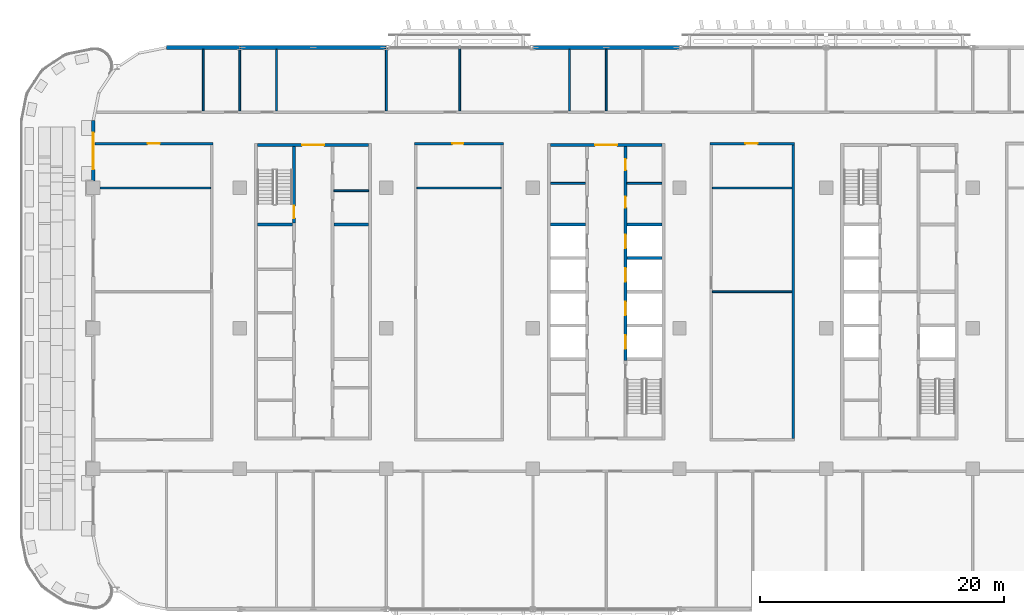
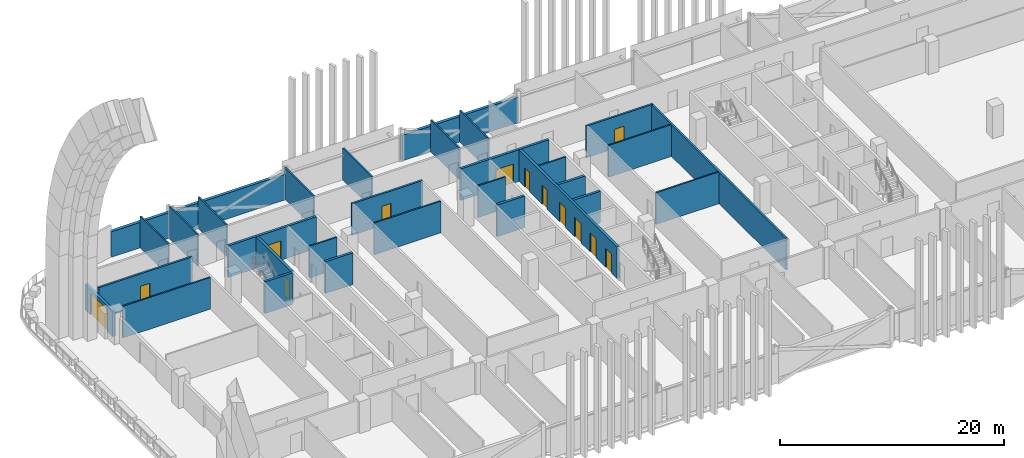
# One storey, part 11 of 28: 31 walls, 13 doors, 13 openings.
"""IFC4 building model written with IfcOpenShell, lengths in metres."""

from ifc_helpers import new_model, si_unit, direction, frame, frame_2d, origin, place, context, subcontext, project, spatial, rectangle, extrude, material, layer, layer_set, type_object, element, fill, save


model = new_model("IFC4")

# Units and contexts
model_context = context("Model", 3, precision=1e-05, world=origin(), true_north=direction((0.0, 1.0)))
body_context = subcontext(model_context, "Body", "Model", "MODEL_VIEW")
ifc_project = project(units=[si_unit("LENGTHUNIT", "METRE"), si_unit("AREAUNIT", "SQUARE_METRE"), si_unit("VOLUMEUNIT", "CUBIC_METRE"), si_unit("PLANEANGLEUNIT", "RADIAN"), si_unit("MASSUNIT", "GRAM", prefix="KILO")], contexts=[model_context])

# Site, building, storey
site_placement = place(None, origin())
site = spatial("IfcSite", under=ifc_project, at=site_placement, CompositionType="ELEMENT")
building_placement = place(site_placement, origin())
building = spatial("IfcBuilding", under=site, at=building_placement, Name="Mahtab Terrace Research Tower", CompositionType="ELEMENT")
storey_placement = place(building_placement, frame((0.0, 0.0, 193.89990234375)))
storey = spatial("IfcBuildingStorey", under=building, at=storey_placement, Name="L46", CompositionType="ELEMENT", Elevation=193.89990234375)

# Walls
ifc_material_1 = material(Name="Gypsum board partition")
ifc_layer_1 = layer(ifc_material_1, 0.14990234375)
ifc_layer_set_1 = layer_set([ifc_layer_1], Name="Core partition 150")
wall_type_1 = type_object("IfcWallType", Name="Core partition 150", PredefinedType="PARTITIONING", material=ifc_layer_set_1)
for number, where, z_axis, x_axis, name in (
    (1, (-22.300048828125, 11.27490234375, 0.0), (0.0, 0.0, 1.0), (1.0, 0.0, 0.0), "Core wall A pEN828"),
    (2, (-4.550048828125, 11.875, 0.0), (0.0, 0.0, 1.0), (1.0, 0.0, 0.0), "Core wall B pWN888"),
    (3, (1.699951171875, 11.875, 0.0), (0.0, 0.0, 1.0), (1.0, 0.0, 0.0), "Core wall B pEN888"),
):
    element("IfcWall", number, at=place(storey_placement, frame(where, z_axis=z_axis, x_axis=x_axis)), inside=storey, type_object=wall_type_1, Name=name, PredefinedType="PARTITIONING", context=body_context, shape_type="SweptSolid", body=[
        extrude(rectangle(XDim=2.85009765625, YDim=0.14990234375, at=frame_2d((1.425048828125, 0.0))), origin(), (0.0, 0.0, 1.0), 3.460205078125),
    ])

# Wall, opening, door
ifc_material_2 = material(Name="Concrete C70/85", Category="concrete")
ifc_layer_2 = layer(ifc_material_2, 0.25)
ifc_layer_set_2 = layer_set([ifc_layer_2], Name="Core wall 250")
wall_type_2 = type_object("IfcWallType", Name="Core wall 250", PredefinedType="SOLIDWALL", material=ifc_layer_set_2)
wall_1_placement = place(storey_placement, frame((-28.550048828125, 15.0, 0.0), z_axis=(0.0, 0.0, 1.0), x_axis=(1.0, 0.0, 0.0)))
wall_1 = element("IfcWall", 4, at=wall_1_placement, inside=storey, type_object=wall_type_2, Name="Core wall A endN", PredefinedType="SOLIDWALL", context=body_context, shape_type="SweptSolid", body=[
    extrude(rectangle(XDim=9.10009765625, YDim=0.25, at=frame_2d((4.550048828125, 0.0))), origin(), (0.0, 0.0, 1.0), 3.460205078125),
])
opening_1_placement = place(wall_1_placement, frame((3.64990234375, 0.0, 0.0)))
opening_1 = element("IfcOpeningElement", 5, at=opening_1_placement, cuts=wall_1, Name="Opening A-N1", PredefinedType="OPENING", context=body_context, shape_type="SweptSolid", body=[
    extrude(rectangle(XDim=1.800048828125, YDim=2.10009765625, at=frame_2d((0.89990234375, 1.050048828125))), frame((0.0, 0.135009765625, 0.0), z_axis=(0.0, -1.0, 0.0), x_axis=(1.0, 0.0, 0.0)), (0.0, 0.0, 1.0), 0.27001953125),
])
ifc_material_3 = material(Name="Steel fire door", Category="steel")
door_type_1 = type_object("IfcDoorType", Name="Lobby double door 1800x2100 1 HR", OperationType="DOUBLE_DOOR_SINGLE_SWING", PredefinedType="DOOR", material=ifc_material_3)
door_1_placement = place(opening_1_placement, origin())
door_1 = element("IfcDoor", 6, at=door_1_placement, inside=storey, type_object=door_type_1, Name="Core entrance door A N", OperationType="DOUBLE_DOOR_SINGLE_SWING", OverallHeight=2.10009765625, OverallWidth=1.800048828125, PredefinedType="DOOR", context=body_context, shape_type="SweptSolid", body=[
    extrude(rectangle(XDim=1.800048828125, YDim=2.10009765625, at=frame_2d((0.89990234375, 1.050048828125))), frame((0.0, 0.02490234375, 0.0), z_axis=(0.0, -1.0, 0.0), x_axis=(1.0, 0.0, 0.0)), (0.0, 0.0, 1.0), 0.050048828125),
])
fill(opening_1, door_1)

wall_2_placement = place(storey_placement, frame((-25.574951171875, 14.875, 0.0), z_axis=(0.0, 0.0, 1.0), x_axis=(0.0, -1.0, 0.0)))
wall_2 = element("IfcWall", 7, at=wall_2_placement, inside=storey, type_object=wall_type_2, Name="Core wall A innerWN", PredefinedType="SOLIDWALL", context=body_context, shape_type="SweptSolid", body=[
    extrude(rectangle(XDim=6.25, YDim=0.25, at=frame_2d((3.125, 0.0))), origin(), (0.0, 0.0, 1.0), 3.460205078125),
])
opening_2_placement = place(wall_2_placement, frame((4.85009765625, 0.0, 0.0)))
opening_2 = element("IfcOpeningElement", 8, at=opening_2_placement, cuts=wall_2, Name="Opening A-ST1", PredefinedType="OPENING", context=body_context, shape_type="SweptSolid", body=[
    extrude(rectangle(XDim=1.0, YDim=2.10009765625, at=frame_2d((0.5, 1.050048828125))), frame((0.0, 0.135009765625, 0.0), z_axis=(0.0, -1.0, 0.0), x_axis=(1.0, 0.0, 0.0)), (0.0, 0.0, 1.0), 0.27001953125),
])
door_type_2 = type_object("IfcDoorType", Name="Stair door 1000x2100 1.5 HR", OperationType="NOTDEFINED", PredefinedType="DOOR", material=ifc_material_3)
door_2_placement = place(opening_2_placement, origin())
door_2 = element("IfcDoor", 9, at=door_2_placement, inside=storey, type_object=door_type_2, Name="Stair door ST1 L46", OperationType="SINGLE_SWING_LEFT", OverallHeight=2.10009765625, OverallWidth=1.0, PredefinedType="DOOR", context=body_context, shape_type="SweptSolid", body=[
    extrude(rectangle(XDim=1.0, YDim=2.10009765625, at=frame_2d((0.5, 1.050048828125))), frame((0.0, 0.02490234375, 0.0), z_axis=(0.0, -1.0, 0.0), x_axis=(1.0, 0.0, 0.0)), (0.0, 0.0, 1.0), 0.050048828125),
])
fill(opening_2, door_2)

# Walls
for number, where, z_axis, x_axis, name in (
    (10, (-28.550048828125, 8.5, 0.0), (0.0, 0.0, 1.0), (1.0, 0.0, 0.0), "Core wall A divW4"),
    (11, (-22.300048828125, 8.5, 0.0), (0.0, 0.0, 1.0), (1.0, 0.0, 0.0), "Core wall A divE4"),
):
    element("IfcWall", number, at=place(storey_placement, frame(where, z_axis=z_axis, x_axis=x_axis)), inside=storey, type_object=wall_type_2, Name=name, PredefinedType="SOLIDWALL", context=body_context, shape_type="SweptSolid", body=[
        extrude(rectangle(XDim=2.85009765625, YDim=0.25, at=frame_2d((1.425048828125, 0.0))), origin(), (0.0, 0.0, 1.0), 3.460205078125),
    ])

# Wall, opening, door
wall_3_placement = place(storey_placement, frame((-4.550048828125, 15.0, 0.0), z_axis=(0.0, 0.0, 1.0), x_axis=(1.0, 0.0, 0.0)))
wall_3 = element("IfcWall", 12, at=wall_3_placement, inside=storey, type_object=wall_type_2, Name="Core wall B endN", PredefinedType="SOLIDWALL", context=body_context, shape_type="SweptSolid", body=[
    extrude(rectangle(XDim=9.10009765625, YDim=0.25, at=frame_2d((4.550048828125, 0.0))), origin(), (0.0, 0.0, 1.0), 3.460205078125),
])
opening_3_placement = place(wall_3_placement, frame((3.64990234375, 0.0, 0.0)))
opening_3 = element("IfcOpeningElement", 13, at=opening_3_placement, cuts=wall_3, Name="Opening B-N1", PredefinedType="OPENING", context=body_context, shape_type="SweptSolid", body=[
    extrude(rectangle(XDim=1.800048828125, YDim=2.10009765625, at=frame_2d((0.89990234375, 1.050048828125))), frame((0.0, 0.135009765625, 0.0), z_axis=(0.0, -1.0, 0.0), x_axis=(1.0, 0.0, 0.0)), (0.0, 0.0, 1.0), 0.27001953125),
])
door_3_placement = place(opening_3_placement, origin())
door_3 = element("IfcDoor", 14, at=door_3_placement, inside=storey, type_object=door_type_1, Name="Core entrance door B N", OperationType="DOUBLE_DOOR_SINGLE_SWING", OverallHeight=2.10009765625, OverallWidth=1.800048828125, PredefinedType="DOOR", context=body_context, shape_type="SweptSolid", body=[
    extrude(rectangle(XDim=1.800048828125, YDim=2.10009765625, at=frame_2d((0.89990234375, 1.050048828125))), frame((0.0, 0.02490234375, 0.0), z_axis=(0.0, -1.0, 0.0), x_axis=(1.0, 0.0, 0.0)), (0.0, 0.0, 1.0), 0.050048828125),
])
fill(opening_3, door_3)

# Wall, openings, doors
wall_4_placement = place(storey_placement, frame((1.574951171875, 14.875, 0.0), z_axis=(0.0, 0.0, 1.0), x_axis=(0.0, -1.0, 0.0)))
wall_4 = element("IfcWall", 15, at=wall_4_placement, inside=storey, type_object=wall_type_2, Name="Core wall B innerELN", PredefinedType="SOLIDWALL", context=body_context, shape_type="SweptSolid", body=[
    extrude(rectangle(XDim=17.5, YDim=0.25, at=frame_2d((8.75, 0.0))), origin(), (0.0, 0.0, 1.0), 3.460205078125),
])
opening_4_placement = place(wall_4_placement, frame((15.449951171875, 0.0, 0.0)))
opening_4 = element("IfcOpeningElement", 16, at=opening_4_placement, cuts=wall_4, Name="Opening LD13-L46", PredefinedType="OPENING", context=body_context, shape_type="SweptSolid", body=[
    extrude(rectangle(XDim=1.10009765625, YDim=2.10009765625, at=frame_2d((0.550048828125, 1.050048828125))), frame((0.0, 0.135009765625, 0.0), z_axis=(0.0, -1.0, 0.0), x_axis=(1.0, 0.0, 0.0)), (0.0, 0.0, 1.0), 0.27001953125),
])
opening_5_placement = place(wall_4_placement, frame((12.699951171875, 0.0, 0.0)))
opening_5 = element("IfcOpeningElement", 17, at=opening_5_placement, cuts=wall_4, Name="Opening LD14-L46", PredefinedType="OPENING", context=body_context, shape_type="SweptSolid", body=[
    extrude(rectangle(XDim=1.10009765625, YDim=2.10009765625, at=frame_2d((0.550048828125, 1.050048828125))), frame((0.0, 0.135009765625, 0.0), z_axis=(0.0, -1.0, 0.0), x_axis=(1.0, 0.0, 0.0)), (0.0, 0.0, 1.0), 0.27001953125),
])
opening_6_placement = place(wall_4_placement, frame((9.949951171875, 0.0, 0.0)))
opening_6 = element("IfcOpeningElement", 18, at=opening_6_placement, cuts=wall_4, Name="Opening LD15-L46", PredefinedType="OPENING", context=body_context, shape_type="SweptSolid", body=[
    extrude(rectangle(XDim=1.10009765625, YDim=2.10009765625, at=frame_2d((0.550048828125, 1.050048828125))), frame((0.0, 0.135009765625, 0.0), z_axis=(0.0, -1.0, 0.0), x_axis=(1.0, 0.0, 0.0)), (0.0, 0.0, 1.0), 0.27001953125),
])
opening_7_placement = place(wall_4_placement, frame((7.199951171875, 0.0, 0.0)))
opening_7 = element("IfcOpeningElement", 19, at=opening_7_placement, cuts=wall_4, Name="Opening LD16-L46", PredefinedType="OPENING", context=body_context, shape_type="SweptSolid", body=[
    extrude(rectangle(XDim=1.10009765625, YDim=2.10009765625, at=frame_2d((0.550048828125, 1.050048828125))), frame((0.0, 0.135009765625, 0.0), z_axis=(0.0, -1.0, 0.0), x_axis=(1.0, 0.0, 0.0)), (0.0, 0.0, 1.0), 0.27001953125),
])
opening_8_placement = place(wall_4_placement, frame((4.08740234375, 0.0, 0.0)))
opening_8 = element("IfcOpeningElement", 20, at=opening_8_placement, cuts=wall_4, Name="Opening B-R5", PredefinedType="OPENING", context=body_context, shape_type="SweptSolid", body=[
    extrude(rectangle(XDim=0.89990234375, YDim=2.10009765625, at=frame_2d((0.449951171875, 1.050048828125))), frame((0.0, 0.135009765625, 0.0), z_axis=(0.0, -1.0, 0.0), x_axis=(1.0, 0.0, 0.0)), (0.0, 0.0, 1.0), 0.27001953125),
])
opening_9_placement = place(wall_4_placement, frame((1.012451171875, 0.0, 0.0)))
opening_9 = element("IfcOpeningElement", 21, at=opening_9_placement, cuts=wall_4, Name="Opening B-R6", PredefinedType="OPENING", context=body_context, shape_type="SweptSolid", body=[
    extrude(rectangle(XDim=0.89990234375, YDim=2.10009765625, at=frame_2d((0.449951171875, 1.050048828125))), frame((0.0, 0.135009765625, 0.0), z_axis=(0.0, -1.0, 0.0), x_axis=(1.0, 0.0, 0.0)), (0.0, 0.0, 1.0), 0.27001953125),
])
ifc_material_4 = material(Name="Stainless steel AISI 304", Category="steel")
door_type_3 = type_object("IfcDoorType", Name="Landing door 1100x2100", OperationType="DOUBLE_DOOR_SLIDING", PredefinedType="DOOR", material=ifc_material_4)
door_4_placement = place(opening_4_placement, origin())
door_4 = element("IfcDoor", 22, at=door_4_placement, inside=storey, type_object=door_type_3, Name="Landing door HR5 L46", OperationType="DOUBLE_DOOR_SLIDING", OverallHeight=2.10009765625, OverallWidth=1.10009765625, PredefinedType="DOOR", context=body_context, shape_type="SweptSolid", body=[
    extrude(rectangle(XDim=1.10009765625, YDim=2.10009765625, at=frame_2d((0.550048828125, 1.050048828125))), frame((0.0, 0.02490234375, 0.0), z_axis=(0.0, -1.0, 0.0), x_axis=(1.0, 0.0, 0.0)), (0.0, 0.0, 1.0), 0.050048828125),
])
fill(opening_4, door_4)
door_5_placement = place(opening_5_placement, origin())
door_5 = element("IfcDoor", 23, at=door_5_placement, inside=storey, type_object=door_type_3, Name="Landing door HR6 L46", OperationType="DOUBLE_DOOR_SLIDING", OverallHeight=2.10009765625, OverallWidth=1.10009765625, PredefinedType="DOOR", context=body_context, shape_type="SweptSolid", body=[
    extrude(rectangle(XDim=1.10009765625, YDim=2.10009765625, at=frame_2d((0.550048828125, 1.050048828125))), frame((0.0, 0.02490234375, 0.0), z_axis=(0.0, -1.0, 0.0), x_axis=(1.0, 0.0, 0.0)), (0.0, 0.0, 1.0), 0.050048828125),
])
fill(opening_5, door_5)
door_6_placement = place(opening_6_placement, origin())
door_6 = element("IfcDoor", 24, at=door_6_placement, inside=storey, type_object=door_type_3, Name="Landing door HR7 L46", OperationType="DOUBLE_DOOR_SLIDING", OverallHeight=2.10009765625, OverallWidth=1.10009765625, PredefinedType="DOOR", context=body_context, shape_type="SweptSolid", body=[
    extrude(rectangle(XDim=1.10009765625, YDim=2.10009765625, at=frame_2d((0.550048828125, 1.050048828125))), frame((0.0, 0.02490234375, 0.0), z_axis=(0.0, -1.0, 0.0), x_axis=(1.0, 0.0, 0.0)), (0.0, 0.0, 1.0), 0.050048828125),
])
fill(opening_6, door_6)
door_7_placement = place(opening_7_placement, origin())
door_7 = element("IfcDoor", 25, at=door_7_placement, inside=storey, type_object=door_type_3, Name="Landing door HR8 L46", OperationType="DOUBLE_DOOR_SLIDING", OverallHeight=2.10009765625, OverallWidth=1.10009765625, PredefinedType="DOOR", context=body_context, shape_type="SweptSolid", body=[
    extrude(rectangle(XDim=1.10009765625, YDim=2.10009765625, at=frame_2d((0.550048828125, 1.050048828125))), frame((0.0, 0.02490234375, 0.0), z_axis=(0.0, -1.0, 0.0), x_axis=(1.0, 0.0, 0.0)), (0.0, 0.0, 1.0), 0.050048828125),
])
fill(opening_7, door_7)
door_type_4 = type_object("IfcDoorType", Name="Room door 900x2100 1 HR", OperationType="NOTDEFINED", PredefinedType="DOOR", material=ifc_material_3)
door_8_placement = place(opening_8_placement, origin())
door_8 = element("IfcDoor", 26, at=door_8_placement, inside=storey, type_object=door_type_4, Name="Staff WC door", OperationType="SINGLE_SWING_LEFT", OverallHeight=2.10009765625, OverallWidth=0.89990234375, PredefinedType="DOOR", context=body_context, shape_type="SweptSolid", body=[
    extrude(rectangle(XDim=0.89990234375, YDim=2.10009765625, at=frame_2d((0.449951171875, 1.050048828125))), frame((0.0, 0.02490234375, 0.0), z_axis=(0.0, -1.0, 0.0), x_axis=(1.0, 0.0, 0.0)), (0.0, 0.0, 1.0), 0.050048828125),
])
fill(opening_8, door_8)
door_9_placement = place(opening_9_placement, origin())
door_9 = element("IfcDoor", 27, at=door_9_placement, inside=storey, type_object=door_type_4, Name="Accessible WC door", OperationType="SINGLE_SWING_RIGHT", OverallHeight=2.10009765625, OverallWidth=0.89990234375, PredefinedType="DOOR", context=body_context, shape_type="SweptSolid", body=[
    extrude(rectangle(XDim=0.89990234375, YDim=2.10009765625, at=frame_2d((0.449951171875, 1.050048828125))), frame((0.0, 0.02490234375, 0.0), z_axis=(0.0, -1.0, 0.0), x_axis=(1.0, 0.0, 0.0)), (0.0, 0.0, 1.0), 0.050048828125),
])
fill(opening_9, door_9)

# Walls
for number, where, z_axis, x_axis, name in (
    (28, (-4.550048828125, 8.5, 0.0), (0.0, 0.0, 1.0), (1.0, 0.0, 0.0), "Core wall B divW4"),
    (29, (1.699951171875, 5.75, 0.0), (0.0, 0.0, 1.0), (1.0, 0.0, 0.0), "Core wall B divE3"),
    (30, (1.699951171875, 8.5, 0.0), (0.0, 0.0, 1.0), (1.0, 0.0, 0.0), "Core wall B divE4"),
):
    element("IfcWall", number, at=place(storey_placement, frame(where, z_axis=z_axis, x_axis=x_axis)), inside=storey, type_object=wall_type_2, Name=name, PredefinedType="SOLIDWALL", context=body_context, shape_type="SweptSolid", body=[
        extrude(rectangle(XDim=2.85009765625, YDim=0.25, at=frame_2d((1.425048828125, 0.0))), origin(), (0.0, 0.0, 1.0), 3.460205078125),
    ])
ifc_material_5 = material(Name="Black aluminium cladding panel", Category="aluminium")
ifc_layer_3 = layer(ifc_material_5, 0.300048828125)
ifc_layer_set_3 = layer_set([ifc_layer_3], Name="Opaque facade wall 300")
wall_type_3 = type_object("IfcWallType", Name="Opaque facade wall 300", PredefinedType="NOTDEFINED", material=ifc_layer_set_3)
for number, where, z_axis, x_axis, name in (
    (31, (5.987548828125, 23.0, 0.0), (0.0, 0.0, 1.0), (-1.0, 0.0, 0.0), "Opaque facade wall L46 N7"),
    (32, (-18.012451171875, 23.0, 0.0), (0.0, 0.0, 1.0), (-1.0, 0.0, 0.0), "Opaque facade wall L46 N9"),
):
    element("IfcWall", number, at=place(storey_placement, frame(where, z_axis=z_axis, x_axis=x_axis)), inside=storey, type_object=wall_type_3, Name=name, PredefinedType="NOTDEFINED", context=body_context, shape_type="SweptSolid", body=[
        extrude(rectangle(XDim=11.97509765625, YDim=0.300048828125, at=frame_2d((5.987548828125, 0.0))), origin(), (0.0, 0.0, 1.0), 2.781982421875),
    ])
wall_5_placement = place(storey_placement, frame((-30.012451171875, 23.0, 0.0), z_axis=(0.0, 0.0, 1.0), x_axis=(-1.0, 0.0, 0.0)))
element("IfcWall", 33, at=wall_5_placement, inside=storey, type_object=wall_type_3, Name="Opaque facade wall L46 N10", PredefinedType="NOTDEFINED", context=body_context, shape_type="SweptSolid", body=[
    extrude(rectangle(XDim=5.987548828125, YDim=0.300048828125, at=frame_2d((2.99365234375, 0.0))), origin(), (0.0, 0.0, 1.0), 2.781982421875),
])

# Wall, opening, door
wall_6_placement = place(storey_placement, frame((-42.0, 17.0, 0.0), z_axis=(0.0, 0.0, 1.0), x_axis=(0.0, -1.0, 0.0)))
wall_6 = element("IfcWall", 34, at=wall_6_placement, inside=storey, type_object=wall_type_3, Name="Opaque facade wall L46 W15", PredefinedType="NOTDEFINED", context=body_context, shape_type="SweptSolid", body=[
    extrude(rectangle(XDim=4.949951171875, YDim=0.300048828125, at=frame_2d((2.47509765625, 0.0))), origin(), (0.0, 0.0, 1.0), 2.781982421875),
])
opening_10_placement = place(wall_6_placement, frame((0.97509765625, 0.0, 0.0)))
opening_10 = element("IfcOpeningElement", 35, at=opening_10_placement, cuts=wall_6, Name="Opening ED1", PredefinedType="OPENING", context=body_context, shape_type="SweptSolid", body=[
    extrude(rectangle(XDim=3.0, YDim=2.39990234375, at=frame_2d((1.5, 1.199951171875))), frame((0.0, 0.159912109375, 0.0), z_axis=(0.0, -1.0, 0.0), x_axis=(1.0, 0.0, 0.0)), (0.0, 0.0, 1.0), 0.320068359375),
])
ifc_material_6 = material(Name="Black anodised aluminium", Category="aluminium")
door_type_5 = type_object("IfcDoorType", Name="Terrace double door 3000x2400", OperationType="DOUBLE_DOOR_DOUBLE_SWING", PredefinedType="DOOR", material=ifc_material_6)
door_10_placement = place(opening_10_placement, origin())
door_10 = element("IfcDoor", 36, at=door_10_placement, inside=storey, type_object=door_type_5, Name="Terrace door L46 W", OperationType="SINGLE_SWING_LEFT", OverallHeight=2.39990234375, OverallWidth=3.0, PredefinedType="DOOR", context=body_context, shape_type="SweptSolid", body=[
    extrude(rectangle(XDim=3.0, YDim=2.39990234375, at=frame_2d((1.5, 1.199951171875))), frame((0.0, 0.02490234375, 0.0), z_axis=(0.0, -1.0, 0.0), x_axis=(1.0, 0.0, 0.0)), (0.0, 0.0, 1.0), 0.050048828125),
])
fill(opening_10, door_10)

ifc_material_7 = material(Name="Gypsum board corridor wall on steel studs", Category="steel")
ifc_layer_4 = layer(ifc_material_7, 0.199951171875)
ifc_layer_set_4 = layer_set([ifc_layer_4], Name="WALL CORRIDOR 200")
wall_type_4 = type_object("IfcWallType", Name="WALL CORRIDOR 200", PredefinedType="PARTITIONING", material=ifc_layer_set_4)
wall_7_placement = place(storey_placement, frame((-41.85009765625, 15.125, 0.0), z_axis=(0.0, 0.0, 1.0), x_axis=(1.0, 0.0, 0.0)))
wall_7 = element("IfcWall", 37, at=wall_7_placement, inside=storey, type_object=wall_type_4, Name="L46-W020", PredefinedType="PARTITIONING", context=body_context, shape_type="SweptSolid", body=[
    extrude(rectangle(XDim=9.650146484375, YDim=0.199951171875, at=frame_2d((4.8251953125, 0.0))), origin(), (0.0, 0.0, 1.0), 3.460205078125),
])
opening_11_placement = place(wall_7_placement, frame((4.300048828125, 0.0, 0.0)))
opening_11 = element("IfcOpeningElement", 38, at=opening_11_placement, cuts=wall_7, Name="Opening L46-123", PredefinedType="OPENING", context=body_context, shape_type="SweptSolid", body=[
    extrude(rectangle(XDim=1.0, YDim=2.10009765625, at=frame_2d((0.5, 1.050048828125))), frame((0.0, 0.10986328125, 0.0), z_axis=(0.0, -1.0, 0.0), x_axis=(1.0, 0.0, 0.0)), (0.0, 0.0, 1.0), 0.219970703125),
])
ifc_material_8 = material(Name="Timber door leaf in steel frame", Category="steel")
door_type_6 = type_object("IfcDoorType", Name="DOOR 1000X2100 FD30S", OperationType="SINGLE_SWING_LEFT", PredefinedType="DOOR", material=ifc_material_8)
door_11_placement = place(opening_11_placement, origin())
door_11 = element("IfcDoor", 39, at=door_11_placement, inside=storey, type_object=door_type_6, Name="Door L46-123", OperationType="SINGLE_SWING_RIGHT", OverallHeight=2.10009765625, OverallWidth=1.0, PredefinedType="DOOR", context=body_context, shape_type="SweptSolid", body=[
    extrude(rectangle(XDim=1.0, YDim=2.10009765625, at=frame_2d((0.5, 1.050048828125))), frame((0.0, 0.02490234375, 0.0), z_axis=(0.0, -1.0, 0.0), x_axis=(1.0, 0.0, 0.0)), (0.0, 0.0, 1.0), 0.050048828125),
])
fill(opening_11, door_11)

wall_8_placement = place(storey_placement, frame((-15.699951171875, 15.125, 0.0), z_axis=(0.0, 0.0, 1.0), x_axis=(1.0, 0.0, 0.0)))
wall_8 = element("IfcWall", 40, at=wall_8_placement, inside=storey, type_object=wall_type_4, Name="L46-W021", PredefinedType="PARTITIONING", context=body_context, shape_type="SweptSolid", body=[
    extrude(rectangle(XDim=7.300048828125, YDim=0.199951171875, at=frame_2d((3.64990234375, 0.0))), origin(), (0.0, 0.0, 1.0), 3.460205078125),
])
opening_12_placement = place(wall_8_placement, frame((3.10009765625, 0.0, 0.0)))
opening_12 = element("IfcOpeningElement", 41, at=opening_12_placement, cuts=wall_8, Name="Opening L46-124", PredefinedType="OPENING", context=body_context, shape_type="SweptSolid", body=[
    extrude(rectangle(XDim=0.89990234375, YDim=2.10009765625, at=frame_2d((0.449951171875, 1.050048828125))), frame((0.0, 0.10986328125, 0.0), z_axis=(0.0, -1.0, 0.0), x_axis=(1.0, 0.0, 0.0)), (0.0, 0.0, 1.0), 0.219970703125),
])
door_type_7 = type_object("IfcDoorType", Name="DOOR 0900X2100 FD30S", OperationType="SINGLE_SWING_LEFT", PredefinedType="DOOR", material=ifc_material_8)
door_12_placement = place(opening_12_placement, origin())
door_12 = element("IfcDoor", 42, at=door_12_placement, inside=storey, type_object=door_type_7, Name="Door L46-124", OperationType="SINGLE_SWING_RIGHT", OverallHeight=2.10009765625, OverallWidth=0.89990234375, PredefinedType="DOOR", context=body_context, shape_type="SweptSolid", body=[
    extrude(rectangle(XDim=0.89990234375, YDim=2.10009765625, at=frame_2d((0.449951171875, 1.050048828125))), frame((0.0, 0.02490234375, 0.0), z_axis=(0.0, -1.0, 0.0), x_axis=(1.0, 0.0, 0.0)), (0.0, 0.0, 1.0), 0.050048828125),
])
fill(opening_12, door_12)

wall_9_placement = place(storey_placement, frame((8.5, 15.125, 0.0), z_axis=(0.0, 0.0, 1.0), x_axis=(1.0, 0.0, 0.0)))
wall_9 = element("IfcWall", 43, at=wall_9_placement, inside=storey, type_object=wall_type_4, Name="L46-W022", PredefinedType="PARTITIONING", context=body_context, shape_type="SweptSolid", body=[
    extrude(rectangle(XDim=6.89990234375, YDim=0.199951171875, at=frame_2d((3.449951171875, 0.0))), origin(), (0.0, 0.0, 1.0), 3.460205078125),
])
opening_13_placement = place(wall_9_placement, frame((2.89990234375, 0.0, 0.0)))
opening_13 = element("IfcOpeningElement", 44, at=opening_13_placement, cuts=wall_9, Name="Opening L46-125", PredefinedType="OPENING", context=body_context, shape_type="SweptSolid", body=[
    extrude(rectangle(XDim=1.0, YDim=2.10009765625, at=frame_2d((0.5, 1.050048828125))), frame((0.0, 0.10986328125, 0.0), z_axis=(0.0, -1.0, 0.0), x_axis=(1.0, 0.0, 0.0)), (0.0, 0.0, 1.0), 0.219970703125),
])
door_13_placement = place(opening_13_placement, origin())
door_13 = element("IfcDoor", 45, at=door_13_placement, inside=storey, type_object=door_type_6, Name="Door L46-125", OperationType="SINGLE_SWING_RIGHT", OverallHeight=2.10009765625, OverallWidth=1.0, PredefinedType="DOOR", context=body_context, shape_type="SweptSolid", body=[
    extrude(rectangle(XDim=1.0, YDim=2.10009765625, at=frame_2d((0.5, 1.050048828125))), frame((0.0, 0.02490234375, 0.0), z_axis=(0.0, -1.0, 0.0), x_axis=(1.0, 0.0, 0.0)), (0.0, 0.0, 1.0), 0.050048828125),
])
fill(opening_13, door_13)

# Walls
wall_10_placement = place(storey_placement, frame((15.300048828125, -9.02490234375, 0.0), z_axis=(0.0, 0.0, 1.0), x_axis=(0.0, 1.0, 0.0)))
element("IfcWall", 46, at=wall_10_placement, inside=storey, type_object=wall_type_4, Name="L46-W047", PredefinedType="PARTITIONING", context=body_context, shape_type="SweptSolid", body=[
    extrude(rectangle(XDim=24.0498046875, YDim=0.199951171875, at=frame_2d((12.02490234375, 0.0))), origin(), (0.0, 0.0, 1.0), 3.460205078125),
])
ifc_material_9 = material(Name="Gypsum board partition on steel studs", Category="steel")
ifc_layer_5 = layer(ifc_material_9, 0.14990234375)
ifc_layer_set_5 = layer_set([ifc_layer_5], Name="WALL PARTITION 150")
wall_type_5 = type_object("IfcWallType", Name="WALL PARTITION 150", PredefinedType="PARTITIONING", material=ifc_layer_set_5)
wall_11_placement = place(storey_placement, frame((8.699951171875, 3.0, 0.0), z_axis=(0.0, 0.0, 1.0), x_axis=(1.0, 0.0, 0.0)))
element("IfcWall", 47, at=wall_11_placement, inside=storey, type_object=wall_type_5, Name="L46-W014", PredefinedType="PARTITIONING", context=body_context, shape_type="SweptSolid", body=[
    extrude(rectangle(XDim=6.5, YDim=0.14990234375, at=frame_2d((3.25, 0.0))), origin(), (0.0, 0.0, 1.0), 3.460205078125),
])
wall_12_placement = place(storey_placement, frame((-41.449951171875, 11.5, 0.0), z_axis=(0.0, 0.0, 1.0), x_axis=(1.0, 0.0, 0.0)))
element("IfcWall", 48, at=wall_12_placement, inside=storey, type_object=wall_type_5, Name="L46-W015", PredefinedType="PARTITIONING", context=body_context, shape_type="SweptSolid", body=[
    extrude(rectangle(XDim=9.050048828125, YDim=0.14990234375, at=frame_2d((4.52490234375, 0.0))), origin(), (0.0, 0.0, 1.0), 3.460205078125),
])
wall_13_placement = place(storey_placement, frame((-15.5, 11.5, 0.0), z_axis=(0.0, 0.0, 1.0), x_axis=(1.0, 0.0, 0.0)))
element("IfcWall", 49, at=wall_13_placement, inside=storey, type_object=wall_type_5, Name="L46-W016", PredefinedType="PARTITIONING", context=body_context, shape_type="SweptSolid", body=[
    extrude(rectangle(XDim=6.89990234375, YDim=0.14990234375, at=frame_2d((3.449951171875, 0.0))), origin(), (0.0, 0.0, 1.0), 3.460205078125),
])
wall_14_placement = place(storey_placement, frame((8.699951171875, 11.5, 0.0), z_axis=(0.0, 0.0, 1.0), x_axis=(1.0, 0.0, 0.0)))
element("IfcWall", 50, at=wall_14_placement, inside=storey, type_object=wall_type_5, Name="L46-W017", PredefinedType="PARTITIONING", context=body_context, shape_type="SweptSolid", body=[
    extrude(rectangle(XDim=6.5, YDim=0.14990234375, at=frame_2d((3.25, 0.0))), origin(), (0.0, 0.0, 1.0), 3.460205078125),
])
for number, where, z_axis, x_axis, name in (
    (51, (-33.0, 17.800048828125, 0.0), (0.0, 0.0, 1.0), (0.0, 1.0, 0.0), "L46-W026"),
    (52, (-30.0, 17.800048828125, 0.0), (0.0, 0.0, 1.0), (0.0, 1.0, 0.0), "L46-W028"),
    (53, (-27.0, 17.800048828125, 0.0), (0.0, 0.0, 1.0), (0.0, 1.0, 0.0), "L46-W030"),
):
    element("IfcWall", number, at=place(storey_placement, frame(where, z_axis=z_axis, x_axis=x_axis)), inside=storey, type_object=wall_type_5, Name=name, PredefinedType="PARTITIONING", context=body_context, shape_type="SweptSolid", body=[
        extrude(rectangle(XDim=5.050048828125, YDim=0.14990234375, at=frame_2d((2.52490234375, 0.0))), origin(), (0.0, 0.0, 1.0), 3.460205078125),
    ])
for number, where, z_axis, x_axis, name in (
    (54, (-18.0, 17.800048828125, 0.0), (0.0, 0.0, 1.0), (0.0, 1.0, 0.0), "L46-W033"),
    (55, (-12.0, 17.800048828125, 0.0), (0.0, 0.0, 1.0), (0.0, 1.0, 0.0), "L46-W036"),
):
    element("IfcWall", number, at=place(storey_placement, frame(where, z_axis=z_axis, x_axis=x_axis)), inside=storey, type_object=wall_type_5, Name=name, PredefinedType="PARTITIONING", context=body_context, shape_type="SweptSolid", body=[
        extrude(rectangle(XDim=5.175048828125, YDim=0.14990234375, at=frame_2d((2.58740234375, 0.0))), origin(), (0.0, 0.0, 1.0), 3.460205078125),
    ])
for number, where, z_axis, x_axis, name in (
    (56, (-3.0, 17.800048828125, 0.0), (0.0, 0.0, 1.0), (0.0, 1.0, 0.0), "L46-W039"),
    (57, (0.0, 17.800048828125, 0.0), (0.0, 0.0, 1.0), (0.0, 1.0, 0.0), "L46-W041"),
):
    element("IfcWall", number, at=place(storey_placement, frame(where, z_axis=z_axis, x_axis=x_axis)), inside=storey, type_object=wall_type_5, Name=name, PredefinedType="PARTITIONING", context=body_context, shape_type="SweptSolid", body=[
        extrude(rectangle(XDim=5.050048828125, YDim=0.14990234375, at=frame_2d((2.52490234375, 0.0))), origin(), (0.0, 0.0, 1.0), 3.460205078125),
    ])

save(model, "model.ifc")
